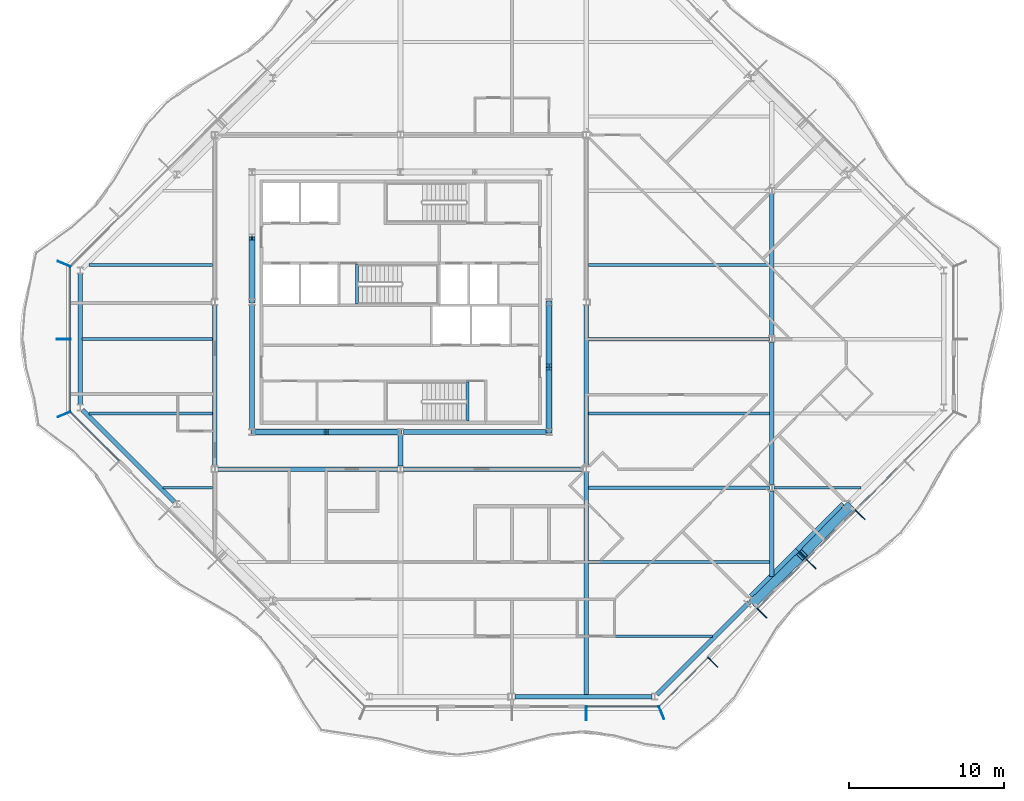
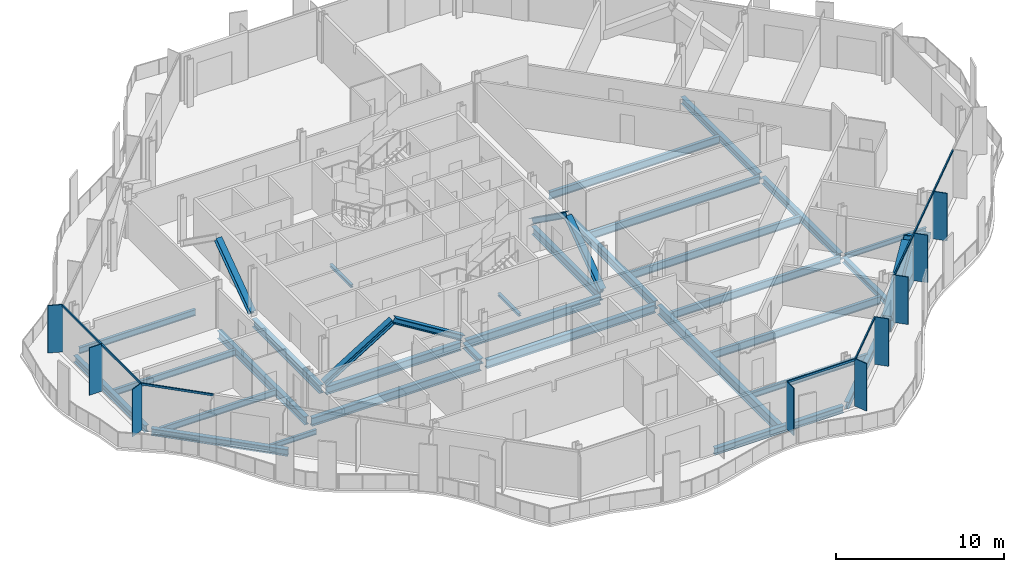
# One storey, part 3 of 17: 32 beams, 24 members, 4 elements without a shape of their own.
"""IFC4 building model written with IfcOpenShell, lengths in metres."""

from ifc_helpers import new_model, si_unit, direction, frame, origin, origin_2d, place, context, subcontext, project, spatial, rectangle, hollow_rectangle, i_section, extrude, material, material_profile, profile_set, type_object, element, aggregate, save


model = new_model("IFC4")

# Units and contexts
model_context = context("Model", 3, precision=1e-05, world=origin(), true_north=direction((0.0, 1.0)))
body_context = subcontext(model_context, "Body", "Model", "MODEL_VIEW")
ifc_project = project(units=[si_unit("LENGTHUNIT", "METRE"), si_unit("AREAUNIT", "SQUARE_METRE"), si_unit("VOLUMEUNIT", "CUBIC_METRE"), si_unit("PLANEANGLEUNIT", "RADIAN"), si_unit("MASSUNIT", "GRAM", prefix="KILO")], contexts=[model_context])

# Site, building, storey
site_placement = place(None, origin())
site = spatial("IfcSite", under=ifc_project, at=site_placement, CompositionType="ELEMENT")
building_placement = place(site_placement, origin())
building = spatial("IfcBuilding", under=site, at=building_placement, Name="Cairn Pilgrim Tower", CompositionType="ELEMENT")
storey_placement = place(building_placement, frame((0.0, 0.0, 217.800048828125)))
storey = spatial("IfcBuildingStorey", under=building, at=storey_placement, Name="L55", CompositionType="ELEMENT", Elevation=217.800048828125)

# Members
ifc_material_1 = material(Name="Structural steel S460M", Category="steel")
ifc_material_profile_1 = material_profile(ifc_material_1, hollow_rectangle(XDim=0.60009765625, YDim=0.60009765625, WallThickness=0.034912109375, at=origin_2d()), Name="BOX 600x600x35")
ifc_profile_set_1 = profile_set([ifc_material_profile_1], Name="Structural steel S460M")
member_type_1 = type_object("IfcMemberType", Name="BOX 600x600x35 BRACE", PredefinedType="BRACE", material=ifc_profile_set_1)
for number, where, z_axis, x_axis, name in (
    (1, (30.02392578125, -17.00146484375, 0.14990234375), (0.609993709431, 0.59476326853, 0.523607036681), (-0.698111810848, 0.715988756584, 0.0), "XB-SE2-SE3-1"),
    (2, (36.201416015625, -10.823974609375, 0.14990234375), (-0.59476326853, -0.609993709431, 0.523607036681), (0.715988756584, -0.698111810848, 0.0), "XB-SE2-SE3-2"),
):
    element("IfcMember", number, at=place(storey_placement, frame(where, z_axis=z_axis, x_axis=x_axis)), inside=storey, type_object=member_type_1, Name=name, PredefinedType="BRACE", context=body_context, shape_type="SweptSolid", body=[
        extrude(hollow_rectangle(XDim=0.60009765625, YDim=0.60009765625, WallThickness=0.034912109375, at=origin_2d()), origin(), (0.0, 0.0, 1.0), 5.033447265625),
    ])

# Beams
ifc_material_2 = material(Name="Structural steel S355J2", Category="steel")
ifc_material_profile_2 = material_profile(ifc_material_2, hollow_rectangle(XDim=0.699951171875, YDim=0.800048828125, WallThickness=0.0400390625, at=origin_2d()), Name="BOX 700x800x40")
ifc_profile_set_2 = profile_set([ifc_material_profile_2], Name="Structural steel S355J2")
beam_type_1 = type_object("IfcBeamType", Name="BOX 700x800x40 RING GIRDER", PredefinedType="SPANDREL", material=ifc_profile_set_2)
beam_1_placement = place(storey_placement, frame((29.98388671875, -16.743408203125, -0.550048828125), z_axis=(0.707106781187, 0.707106781187, 0.0), x_axis=(-0.707106781187, 0.707106781187, 0.0)))
element("IfcBeam", 3, at=beam_1_placement, inside=storey, type_object=beam_type_1, Name="RG3-SE2-SE3-1", PredefinedType="SPANDREL", context=body_context, shape_type="SweptSolid", body=[
    extrude(hollow_rectangle(XDim=0.699951171875, YDim=0.800048828125, WallThickness=0.0400390625, at=origin_2d()), origin(), (0.0, 0.0, 1.0), 4.2138671875),
])
beam_2_placement = place(storey_placement, frame((32.963623046875, -13.763671875, -0.550048828125), z_axis=(0.707077813866, 0.707135747321, 0.0), x_axis=(-0.707135747321, 0.707077813866, 0.0)))
element("IfcBeam", 4, at=beam_2_placement, inside=storey, type_object=beam_type_1, Name="RG3-SE2-SE3-2", PredefinedType="SPANDREL", context=body_context, shape_type="SweptSolid", body=[
    extrude(hollow_rectangle(XDim=0.699951171875, YDim=0.800048828125, WallThickness=0.0400390625, at=origin_2d()), origin(), (0.0, 0.0, 1.0), 4.214111328125),
])

# Curtain wall, member
ifc_material_3 = material(Name="Aluminium alloy 6063-T6 bronze anodised with Bronze tinted laminated low-E glass 8+16+8.8", Category="aluminium")
curtain_wall_type_1 = type_object("IfcCurtainWallType", Name="TOWER STICK CURTAIN WALL NS", PredefinedType="NOTDEFINED", material=ifc_material_3)
curtain_wall_1_placement = place(storey_placement, origin())
curtain_wall_1 = element("IfcCurtainWall", 5, at=curtain_wall_1_placement, inside=storey, type_object=curtain_wall_type_1, Name="Tower Stick Curtain Wall Ns S", PredefinedType="NOTDEFINED")
ifc_material_4 = material(Name="Aluminium alloy 6063-T6 bronze anodised", Category="aluminium")
ifc_material_profile_3 = material_profile(ifc_material_4, rectangle(XDim=0.89990234375, YDim=0.06005859375, at=origin_2d()), Name="FIN MULLION 60x900 BRONZE")
ifc_profile_set_3 = profile_set([ifc_material_profile_3], Name="Aluminium alloy 6063-T6 bronze anodised")
member_type_2 = type_object("IfcMemberType", Name="FIN MULLION 60x900 BRONZE", PredefinedType="MULLION", material=ifc_profile_set_3)
member_1_placement = place(storey_placement, frame((19.199951171875, -24.169921875, 0.0), z_axis=(0.0, 0.0, 1.0), x_axis=(0.0, -1.0, 0.0)))
member_1 = element("IfcMember", 6, at=member_1_placement, type_object=member_type_2, Name="Fin mullion S4", PredefinedType="MULLION", context=body_context, shape_type="SweptSolid", body=[
    extrude(rectangle(XDim=0.89990234375, YDim=0.06005859375, at=origin_2d()), origin(), (0.0, 0.0, 1.0), 3.449951171875),
])

# Curtain wall, members
curtain_wall_type_2 = type_object("IfcCurtainWallType", Name="CHAMFER CORNER CURTAIN WALL", PredefinedType="NOTDEFINED", material=ifc_material_3)
curtain_wall_2_placement = place(storey_placement, origin())
curtain_wall_2 = element("IfcCurtainWall", 7, at=curtain_wall_2_placement, inside=storey, type_object=curtain_wall_type_2, Name="Chamfer Corner Curtain Wall SE", PredefinedType="NOTDEFINED")
member_2_placement = place(storey_placement, frame((24.05712890625, -24.137939453125, 0.0), z_axis=(0.0, 0.0, 1.0), x_axis=(0.382683432365, -0.923879532511, 0.0)))
member_2 = element("IfcMember", 8, at=member_2_placement, type_object=member_type_2, Name="Fin mullion SE1", PredefinedType="MULLION", context=body_context, shape_type="SweptSolid", body=[
    extrude(rectangle(XDim=0.89990234375, YDim=0.06005859375, at=origin_2d()), origin(), (0.0, 0.0, 1.0), 3.449951171875),
])
member_3_placement = place(storey_placement, frame((27.369140625, -20.871337890625, 0.0), z_axis=(0.0, 0.0, 1.0), x_axis=(0.707106781187, -0.707106781187, 0.0)))
member_3 = element("IfcMember", 9, at=member_3_placement, type_object=member_type_2, Name="Fin mullion SE2", PredefinedType="MULLION", context=body_context, shape_type="SweptSolid", body=[
    extrude(rectangle(XDim=0.89990234375, YDim=0.06005859375, at=origin_2d()), origin(), (0.0, 0.0, 1.0), 3.449951171875),
])
member_4_placement = place(storey_placement, frame((30.544677734375, -17.69580078125, 0.0), z_axis=(0.0, 0.0, 1.0), x_axis=(0.707106781187, -0.707106781187, 0.0)))
member_4 = element("IfcMember", 10, at=member_4_placement, type_object=member_type_2, Name="Fin mullion SE3", PredefinedType="MULLION", context=body_context, shape_type="SweptSolid", body=[
    extrude(rectangle(XDim=0.89990234375, YDim=0.06005859375, at=origin_2d()), origin(), (0.0, 0.0, 1.0), 3.449951171875),
])
member_5_placement = place(storey_placement, frame((33.72021484375, -14.520263671875, 0.0), z_axis=(0.0, 0.0, 1.0), x_axis=(0.707106781187, -0.707106781187, 0.0)))
member_5 = element("IfcMember", 11, at=member_5_placement, type_object=member_type_2, Name="Fin mullion SE4", PredefinedType="MULLION", context=body_context, shape_type="SweptSolid", body=[
    extrude(rectangle(XDim=0.89990234375, YDim=0.06005859375, at=origin_2d()), origin(), (0.0, 0.0, 1.0), 3.449951171875),
])
member_6_placement = place(storey_placement, frame((36.895751953125, -11.3447265625, 0.0), z_axis=(0.0, 0.0, 1.0), x_axis=(0.707106781187, -0.707106781187, 0.0)))
member_6 = element("IfcMember", 12, at=member_6_placement, type_object=member_type_2, Name="Fin mullion SE5", PredefinedType="MULLION", context=body_context, shape_type="SweptSolid", body=[
    extrude(rectangle(XDim=0.89990234375, YDim=0.06005859375, at=origin_2d()), origin(), (0.0, 0.0, 1.0), 3.449951171875),
])

curtain_wall_type_3 = type_object("IfcCurtainWallType", Name="TOWER STICK CURTAIN WALL EW", PredefinedType="NOTDEFINED", material=ifc_material_3)
curtain_wall_3_placement = place(storey_placement, origin())
curtain_wall_3 = element("IfcCurtainWall", 13, at=curtain_wall_3_placement, inside=storey, type_object=curtain_wall_type_3, Name="Tower Stick Curtain Wall Ew W", PredefinedType="NOTDEFINED")
member_7_placement = place(storey_placement, frame((-14.5380859375, 4.857177734375, 0.0), z_axis=(0.0, 0.0, 1.0), x_axis=(-0.923879532511, 0.382683432365, 0.0)))
member_7 = element("IfcMember", 14, at=member_7_placement, type_object=member_type_2, Name="Fin mullion W1", PredefinedType="MULLION", context=body_context, shape_type="SweptSolid", body=[
    extrude(rectangle(XDim=0.89990234375, YDim=0.06005859375, at=origin_2d()), origin(), (0.0, 0.0, 1.0), 3.449951171875),
])
member_8_placement = place(storey_placement, frame((-14.570068359375, 0.0, 0.0), z_axis=(0.0, 0.0, 1.0), x_axis=(-1.0, 0.0, 0.0)))
member_8 = element("IfcMember", 15, at=member_8_placement, type_object=member_type_2, Name="Fin mullion W2", PredefinedType="MULLION", context=body_context, shape_type="SweptSolid", body=[
    extrude(rectangle(XDim=0.89990234375, YDim=0.06005859375, at=origin_2d()), origin(), (0.0, 0.0, 1.0), 3.449951171875),
])

# Curtain wall, member
curtain_wall_4_placement = place(storey_placement, origin())
curtain_wall_4 = element("IfcCurtainWall", 16, at=curtain_wall_4_placement, inside=storey, type_object=curtain_wall_type_2, Name="Chamfer Corner Curtain Wall SW", PredefinedType="NOTDEFINED")
member_9_placement = place(storey_placement, frame((-14.5380859375, -4.857177734375, 0.0), z_axis=(0.0, 0.0, 1.0), x_axis=(-0.923879532511, -0.382683432365, 0.0)))
member_9 = element("IfcMember", 17, at=member_9_placement, type_object=member_type_2, Name="Fin mullion SW1", PredefinedType="MULLION", context=body_context, shape_type="SweptSolid", body=[
    extrude(rectangle(XDim=0.89990234375, YDim=0.06005859375, at=origin_2d()), origin(), (0.0, 0.0, 1.0), 3.449951171875),
])

# Members
ifc_material_profile_4 = material_profile(ifc_material_2, i_section(OverallWidth=0.39794921875, OverallDepth=0.386962890625, WebThickness=0.02099609375, FlangeThickness=0.033203125, FilletRadius=0.014892578125, at=origin_2d()), Name="HD 400x262")
ifc_profile_set_4 = profile_set([ifc_material_profile_4], Name="Structural steel S355J2")
member_type_3 = type_object("IfcMemberType", Name="HD 400x262 BRACE", PredefinedType="BRACE", material=ifc_profile_set_4)
member_10_placement = place(storey_placement, frame((-2.359619140625, -6.0, 0.099853515625), z_axis=(0.851160677397, 0.0, 0.524905230736), x_axis=(0.0, 1.0, 0.0)))
element("IfcMember", 18, at=member_10_placement, inside=storey, type_object=member_type_3, Name="KB-1A", PredefinedType="BRACE", context=body_context, shape_type="SweptSolid", body=[
    extrude(i_section(OverallWidth=0.39794921875, OverallDepth=0.386962890625, WebThickness=0.02099609375, FlangeThickness=0.033203125, FilletRadius=0.014892578125, at=origin_2d()), origin(), (0.0, 0.0, 1.0), 5.529296875),
])
member_11_placement = place(storey_placement, frame((7.15966796875, -6.0, 0.099853515625), z_axis=(-0.851172842321, 0.0, 0.524885504177), x_axis=(0.0, -1.0, 0.0)))
element("IfcMember", 19, at=member_11_placement, inside=storey, type_object=member_type_3, Name="KB-1B", PredefinedType="BRACE", context=body_context, shape_type="SweptSolid", body=[
    extrude(i_section(OverallWidth=0.39794921875, OverallDepth=0.386962890625, WebThickness=0.02099609375, FlangeThickness=0.033203125, FilletRadius=0.014892578125, at=origin_2d()), origin(), (0.0, 0.0, 1.0), 5.529541015625),
])
member_12_placement = place(storey_placement, frame((16.800048828125, -5.959716796875, 0.099853515625), z_axis=(0.0, 0.814429122825, 0.580263047155), x_axis=(-1.0, 0.0, 0.0)))
element("IfcMember", 20, at=member_12_placement, inside=storey, type_object=member_type_3, Name="KB-2A", PredefinedType="BRACE", context=body_context, shape_type="SweptSolid", body=[
    extrude(i_section(OverallWidth=0.39794921875, OverallDepth=0.386962890625, WebThickness=0.02099609375, FlangeThickness=0.033203125, FilletRadius=0.014892578125, at=origin_2d()), origin(), (0.0, 0.0, 1.0), 4.999267578125),
])
for number, where, z_axis, x_axis, name in (
    (21, (16.800048828125, 2.359619140625, 0.099853515625), (0.0, -0.814412678688, 0.580286126659), (1.0, 0.0, 0.0), "KB-2B"),
    (22, (-2.39990234375, 2.4404296875, 0.099853515625), (0.0, 0.814412678688, 0.580286126659), (-1.0, 0.0, 0.0), "KB-4B"),
):
    element("IfcMember", number, at=place(storey_placement, frame(where, z_axis=z_axis, x_axis=x_axis)), inside=storey, type_object=member_type_3, Name=name, PredefinedType="BRACE", context=body_context, shape_type="SweptSolid", body=[
        extrude(i_section(OverallWidth=0.39794921875, OverallDepth=0.386962890625, WebThickness=0.02099609375, FlangeThickness=0.033203125, FilletRadius=0.014892578125, at=origin_2d()), origin(), (0.0, 0.0, 1.0), 4.9990234375),
    ])

# Beams
ifc_material_profile_5 = material_profile(ifc_material_2, i_section(OverallWidth=0.300048828125, OverallDepth=0.39990234375, WebThickness=0.013427734375, FlangeThickness=0.02392578125, FilletRadius=0.027099609375, at=origin_2d()), Name="HEB 400")
ifc_profile_set_5 = profile_set([ifc_material_profile_5], Name="Structural steel S355J2")
beam_type_2 = type_object("IfcBeamType", Name="HEB 400 GIRDER", PredefinedType="BEAM", material=ifc_profile_set_5)
beam_3_placement = place(storey_placement, frame((7.199951171875, -8.200439453125, -0.35009765625), z_axis=(0.0, 1.0, 0.0), x_axis=(-1.0, 0.0, 0.0)))
element("IfcBeam", 23, at=beam_3_placement, inside=storey, type_object=beam_type_2, Name="PG3-E1", PredefinedType="BEAM", context=body_context, shape_type="SweptSolid", body=[
    extrude(i_section(OverallWidth=0.300048828125, OverallDepth=0.39990234375, WebThickness=0.013427734375, FlangeThickness=0.02392578125, FilletRadius=0.027099609375, at=origin_2d()), origin(), (0.0, 0.0, 1.0), 1.99853515625),
])
beam_4_placement = place(storey_placement, frame((31.199951171875, -15.34521484375, -0.35009765625), z_axis=(0.0, 1.0, 0.0), x_axis=(-1.0, 0.0, 0.0)))
element("IfcBeam", 24, at=beam_4_placement, inside=storey, type_object=beam_type_2, Name="PG5-1", PredefinedType="BEAM", context=body_context, shape_type="SweptSolid", body=[
    extrude(i_section(OverallWidth=0.300048828125, OverallDepth=0.39990234375, WebThickness=0.013427734375, FlangeThickness=0.02392578125, FilletRadius=0.027099609375, at=origin_2d()), origin(), (0.0, 0.0, 1.0), 5.545654296875),
])
ifc_material_profile_6 = material_profile(ifc_material_2, i_section(OverallWidth=0.300048828125, OverallDepth=0.5, WebThickness=0.014404296875, FlangeThickness=0.028076171875, FilletRadius=0.027099609375, at=origin_2d()), Name="HEB 500")
ifc_profile_set_6 = profile_set([ifc_material_profile_6], Name="Structural steel S355J2")
beam_type_3 = type_object("IfcBeamType", Name="HEB 500 GIRDER", PredefinedType="BEAM", material=ifc_profile_set_6)
for number, where, z_axis, x_axis, name in (
    (25, (31.199951171875, -9.400390625, -0.400146484375), (0.0, 1.0, 0.0), (-1.0, 0.0, 0.0), "PG5-2"),
    (26, (31.199951171875, 0.199462890625, -0.400146484375), (0.0, 1.0, 0.0), (-1.0, 0.0, 0.0), "PG5-3"),
):
    element("IfcBeam", number, at=place(storey_placement, frame(where, z_axis=z_axis, x_axis=x_axis)), inside=storey, type_object=beam_type_3, Name=name, PredefinedType="BEAM", context=body_context, shape_type="SweptSolid", body=[
        extrude(i_section(OverallWidth=0.300048828125, OverallDepth=0.5, WebThickness=0.014404296875, FlangeThickness=0.028076171875, FilletRadius=0.027099609375, at=origin_2d()), origin(), (0.0, 0.0, 1.0), 9.200927734375),
    ])
ifc_material_profile_7 = material_profile(ifc_material_2, i_section(OverallWidth=0.300048828125, OverallDepth=0.5, WebThickness=0.014404296875, FlangeThickness=0.028076171875, FilletRadius=0.027099609375, at=origin_2d()), Name="HEB 500")
ifc_profile_set_7 = profile_set([ifc_material_profile_7], Name="Structural steel S355J2")
beam_type_4 = type_object("IfcBeamType", Name="HEB 500 RING GIRDER", PredefinedType="SPANDREL", material=ifc_profile_set_7)
beam_5_placement = place(storey_placement, frame((14.587158203125, -23.10009765625, -0.400146484375), z_axis=(1.0, 0.0, 0.0), x_axis=(0.0, 1.0, 0.0)))
element("IfcBeam", 27, at=beam_5_placement, inside=storey, type_object=beam_type_4, Name="RG3-S2-SE1", PredefinedType="SPANDREL", context=body_context, shape_type="SweptSolid", body=[
    extrude(i_section(OverallWidth=0.300048828125, OverallDepth=0.5, WebThickness=0.014404296875, FlangeThickness=0.028076171875, FilletRadius=0.027099609375, at=origin_2d()), origin(), (0.0, 0.0, 1.0), 8.852783203125),
])
beam_6_placement = place(storey_placement, frame((23.759521484375, -22.967529296875, -0.400146484375), z_axis=(0.707106781187, 0.707106781187, 0.0), x_axis=(-0.707106781187, 0.707106781187, 0.0)))
element("IfcBeam", 28, at=beam_6_placement, inside=storey, type_object=beam_type_4, Name="RG3-SE1-SE2", PredefinedType="SPANDREL", context=body_context, shape_type="SweptSolid", body=[
    extrude(i_section(OverallWidth=0.300048828125, OverallDepth=0.5, WebThickness=0.014404296875, FlangeThickness=0.028076171875, FilletRadius=0.027099609375, at=origin_2d()), origin(), (0.0, 0.0, 1.0), 8.427978515625),
])
beam_7_placement = place(storey_placement, frame((-13.5, 4.239990234375, -0.400146484375), z_axis=(0.0, -1.0, 0.0), x_axis=(1.0, 0.0, 0.0)))
element("IfcBeam", 29, at=beam_7_placement, inside=storey, type_object=beam_type_4, Name="RG3-W1-SW1", PredefinedType="SPANDREL", context=body_context, shape_type="SweptSolid", body=[
    extrude(i_section(OverallWidth=0.300048828125, OverallDepth=0.5, WebThickness=0.014404296875, FlangeThickness=0.028076171875, FilletRadius=0.027099609375, at=origin_2d()), origin(), (0.0, 0.0, 1.0), 8.47998046875),
])
beam_8_placement = place(storey_placement, frame((-13.36767578125, -4.5595703125, -0.400146484375), z_axis=(0.707106781187, -0.707106781187, 0.0), x_axis=(0.707106781187, 0.707106781187, 0.0)))
element("IfcBeam", 30, at=beam_8_placement, inside=storey, type_object=beam_type_4, Name="RG3-SW1-SW2", PredefinedType="SPANDREL", context=body_context, shape_type="SweptSolid", body=[
    extrude(i_section(OverallWidth=0.300048828125, OverallDepth=0.5, WebThickness=0.014404296875, FlangeThickness=0.028076171875, FilletRadius=0.027099609375, at=origin_2d()), origin(), (0.0, 0.0, 1.0), 8.427978515625),
])
ifc_material_profile_8 = material_profile(ifc_material_2, i_section(OverallWidth=0.300048828125, OverallDepth=0.60009765625, WebThickness=0.015380859375, FlangeThickness=0.030029296875, FilletRadius=0.027099609375, at=origin_2d()), Name="HEB 600")
ifc_profile_set_8 = profile_set([ifc_material_profile_8], Name="Structural steel S355J2")
beam_type_5 = type_object("IfcBeamType", Name="HEB 600 CORE BEAM", PredefinedType="BEAM", material=ifc_profile_set_8)
beam_9_placement = place(storey_placement, frame((-2.21826171875, -6.0, -0.449951171875), z_axis=(1.0, 0.0, 0.0), x_axis=(0.0, 1.0, 0.0)))
element("IfcBeam", 31, at=beam_9_placement, inside=storey, type_object=beam_type_5, Name="CB-1", PredefinedType="BEAM", context=body_context, shape_type="SweptSolid", body=[
    extrude(i_section(OverallWidth=0.300048828125, OverallDepth=0.60009765625, WebThickness=0.015380859375, FlangeThickness=0.030029296875, FilletRadius=0.027099609375, at=origin_2d()), origin(), (0.0, 0.0, 1.0), 9.236572265625),
])
beam_10_placement = place(storey_placement, frame((7.3818359375, -6.0, -0.449951171875), z_axis=(1.0, 0.0, 0.0), x_axis=(0.0, 1.0, 0.0)))
element("IfcBeam", 32, at=beam_10_placement, inside=storey, type_object=beam_type_5, Name="CB-2", PredefinedType="BEAM", context=body_context, shape_type="SweptSolid", body=[
    extrude(i_section(OverallWidth=0.300048828125, OverallDepth=0.60009765625, WebThickness=0.015380859375, FlangeThickness=0.030029296875, FilletRadius=0.027099609375, at=origin_2d()), origin(), (0.0, 0.0, 1.0), 9.236328125),
])
for number, where, z_axis, x_axis, name in (
    (33, (16.800048828125, -5.818115234375, -0.449951171875), (0.0, 1.0, 0.0), (-1.0, 0.0, 0.0), "CB-3"),
    (34, (-2.39990234375, 2.21826171875, -0.449951171875), (0.0, -1.0, 0.0), (1.0, 0.0, 0.0), "CB-8"),
):
    element("IfcBeam", number, at=place(storey_placement, frame(where, z_axis=z_axis, x_axis=x_axis)), inside=storey, type_object=beam_type_5, Name=name, PredefinedType="BEAM", context=body_context, shape_type="SweptSolid", body=[
        extrude(i_section(OverallWidth=0.300048828125, OverallDepth=0.60009765625, WebThickness=0.015380859375, FlangeThickness=0.030029296875, FilletRadius=0.027099609375, at=origin_2d()), origin(), (0.0, 0.0, 1.0), 8.036376953125),
    ])
ifc_material_profile_9 = material_profile(ifc_material_2, i_section(OverallWidth=0.300048828125, OverallDepth=0.60009765625, WebThickness=0.015380859375, FlangeThickness=0.030029296875, FilletRadius=0.027099609375, at=origin_2d()), Name="HEB 600")
ifc_profile_set_9 = profile_set([ifc_material_profile_9], Name="Structural steel S355J2")
beam_type_6 = type_object("IfcBeamType", Name="HEB 600 GIRDER", PredefinedType="BEAM", material=ifc_profile_set_9)
for number, where, z_axis, x_axis, name in (
    (35, (-4.800048828125, -8.200439453125, -0.449951171875), (0.0, 1.0, 0.0), (-1.0, 0.0, 0.0), "PG2-2"),
    (36, (19.199951171875, -8.200439453125, -0.449951171875), (0.0, 1.0, 0.0), (-1.0, 0.0, 0.0), "PG4-2"),
):
    element("IfcBeam", number, at=place(storey_placement, frame(where, z_axis=z_axis, x_axis=x_axis)), inside=storey, type_object=beam_type_6, Name=name, PredefinedType="BEAM", context=body_context, shape_type="SweptSolid", body=[
        extrude(i_section(OverallWidth=0.300048828125, OverallDepth=0.60009765625, WebThickness=0.015380859375, FlangeThickness=0.030029296875, FilletRadius=0.027099609375, at=origin_2d()), origin(), (0.0, 0.0, 1.0), 10.40087890625),
    ])
ifc_material_profile_10 = material_profile(ifc_material_2, i_section(OverallWidth=0.300048828125, OverallDepth=0.60009765625, WebThickness=0.015380859375, FlangeThickness=0.030029296875, FilletRadius=0.027099609375, at=origin_2d()), Name="HEB 600")
ifc_profile_set_10 = profile_set([ifc_material_profile_10], Name="Structural steel S355J2")
beam_type_7 = type_object("IfcBeamType", Name="HEB 600 INNER GIRDER", PredefinedType="BEAM", material=ifc_profile_set_10)
for number, where, z_axis, x_axis, name in (
    (37, (-4.6005859375, -8.39990234375, -0.449951171875), (1.0, 0.0, 0.0), (0.0, 1.0, 0.0), "IG1-1"),
    (38, (7.3994140625, -8.39990234375, -0.449951171875), (1.0, 0.0, 0.0), (0.0, 1.0, 0.0), "IG1-2"),
):
    element("IfcBeam", number, at=place(storey_placement, frame(where, z_axis=z_axis, x_axis=x_axis)), inside=storey, type_object=beam_type_7, Name=name, PredefinedType="BEAM", context=body_context, shape_type="SweptSolid", body=[
        extrude(i_section(OverallWidth=0.300048828125, OverallDepth=0.60009765625, WebThickness=0.015380859375, FlangeThickness=0.030029296875, FilletRadius=0.027099609375, at=origin_2d()), origin(), (0.0, 0.0, 1.0), 11.60107421875),
    ])
ifc_material_profile_11 = material_profile(ifc_material_2, i_section(OverallWidth=0.300048828125, OverallDepth=0.699951171875, WebThickness=0.01708984375, FlangeThickness=0.031982421875, FilletRadius=0.027099609375, at=origin_2d()), Name="HEB 700")
ifc_profile_set_11 = profile_set([ifc_material_profile_11], Name="Structural steel S355J2")
beam_type_8 = type_object("IfcBeamType", Name="HEB 700 GIRDER", PredefinedType="BEAM", material=ifc_profile_set_11)
beam_11_placement = place(storey_placement, frame((19.199951171875, -22.97998046875, -0.5), z_axis=(0.0, 1.0, 0.0), x_axis=(-1.0, 0.0, 0.0)))
element("IfcBeam", 39, at=beam_11_placement, inside=storey, type_object=beam_type_8, Name="PG4-1", PredefinedType="BEAM", context=body_context, shape_type="SweptSolid", body=[
    extrude(i_section(OverallWidth=0.300048828125, OverallDepth=0.699951171875, WebThickness=0.01708984375, FlangeThickness=0.031982421875, FilletRadius=0.027099609375, at=origin_2d()), origin(), (0.0, 0.0, 1.0), 14.38037109375),
])
ifc_material_profile_12 = material_profile(ifc_material_2, i_section(OverallWidth=0.169921875, OverallDepth=0.360107421875, WebThickness=0.008056640625, FlangeThickness=0.0126953125, FilletRadius=0.01806640625, at=origin_2d()), Name="IPE 360")
ifc_profile_set_12 = profile_set([ifc_material_profile_12], Name="Structural steel S355J2")
beam_type_9 = type_object("IfcBeamType", Name="IPE 360 SECONDARY BEAM", PredefinedType="JOIST", material=ifc_profile_set_12)
beam_12_placement = place(storey_placement, frame((-8.14501953125, -9.60009765625, -0.330078125), z_axis=(1.0, 0.0, 0.0), x_axis=(0.0, 1.0, 0.0)))
element("IfcBeam", 40, at=beam_12_placement, inside=storey, type_object=beam_type_9, Name="SB3-1", PredefinedType="JOIST", context=body_context, shape_type="SweptSolid", body=[
    extrude(i_section(OverallWidth=0.169921875, OverallDepth=0.360107421875, WebThickness=0.008056640625, FlangeThickness=0.0126953125, FilletRadius=0.01806640625, at=origin_2d()), origin(), (0.0, 0.0, 1.0), 3.195068359375),
])
beam_13_placement = place(storey_placement, frame((31.35009765625, -9.60009765625, -0.330078125), z_axis=(1.0, 0.0, 0.0), x_axis=(0.0, 1.0, 0.0)))
element("IfcBeam", 41, at=beam_13_placement, inside=storey, type_object=beam_type_9, Name="SB3-3", PredefinedType="JOIST", context=body_context, shape_type="SweptSolid", body=[
    extrude(i_section(OverallWidth=0.169921875, OverallDepth=0.360107421875, WebThickness=0.008056640625, FlangeThickness=0.0126953125, FilletRadius=0.01806640625, at=origin_2d()), origin(), (0.0, 0.0, 1.0), 5.594970703125),
])
ifc_material_profile_13 = material_profile(ifc_material_2, i_section(OverallWidth=0.18994140625, OverallDepth=0.449951171875, WebThickness=0.009521484375, FlangeThickness=0.0146484375, FilletRadius=0.02099609375, at=origin_2d()), Name="IPE 450")
ifc_profile_set_13 = profile_set([ifc_material_profile_13], Name="Structural steel S355J2")
beam_type_10 = type_object("IfcBeamType", Name="IPE 450 SECONDARY BEAM", PredefinedType="JOIST", material=ifc_profile_set_13)
for number, where, z_axis, x_axis, name in (
    (42, (19.35009765625, -19.199951171875, -0.375), (1.0, 0.0, 0.0), (0.0, 1.0, 0.0), "SB1-3"),
    (43, (-12.945068359375, -4.800048828125, -0.375), (1.0, 0.0, 0.0), (0.0, 1.0, 0.0), "SB4-1"),
):
    element("IfcBeam", number, at=place(storey_placement, frame(where, z_axis=z_axis, x_axis=x_axis)), inside=storey, type_object=beam_type_10, Name=name, PredefinedType="JOIST", context=body_context, shape_type="SweptSolid", body=[
        extrude(i_section(OverallWidth=0.18994140625, OverallDepth=0.449951171875, WebThickness=0.009521484375, FlangeThickness=0.0146484375, FilletRadius=0.02099609375, at=origin_2d()), origin(), (0.0, 0.0, 1.0), 7.9951171875),
    ])
beam_14_placement = place(storey_placement, frame((-13.3798828125, 0.0, -0.375), z_axis=(1.0, 0.0, 0.0), x_axis=(0.0, 1.0, 0.0)))
element("IfcBeam", 44, at=beam_14_placement, inside=storey, type_object=beam_type_10, Name="SB5-1", PredefinedType="JOIST", context=body_context, shape_type="SweptSolid", body=[
    extrude(i_section(OverallWidth=0.18994140625, OverallDepth=0.449951171875, WebThickness=0.009521484375, FlangeThickness=0.0146484375, FilletRadius=0.02099609375, at=origin_2d()), origin(), (0.0, 0.0, 1.0), 8.429931640625),
])
beam_15_placement = place(storey_placement, frame((-12.945068359375, 4.800048828125, -0.375), z_axis=(1.0, 0.0, 0.0), x_axis=(0.0, 1.0, 0.0)))
element("IfcBeam", 45, at=beam_15_placement, inside=storey, type_object=beam_type_10, Name="SB6-1", PredefinedType="JOIST", context=body_context, shape_type="SweptSolid", body=[
    extrude(i_section(OverallWidth=0.18994140625, OverallDepth=0.449951171875, WebThickness=0.009521484375, FlangeThickness=0.0146484375, FilletRadius=0.02099609375, at=origin_2d()), origin(), (0.0, 0.0, 1.0), 7.9951171875),
])
ifc_material_profile_14 = material_profile(ifc_material_2, i_section(OverallWidth=0.2099609375, OverallDepth=0.550048828125, WebThickness=0.010986328125, FlangeThickness=0.01708984375, FilletRadius=0.02392578125, at=origin_2d()), Name="IPE 550")
ifc_profile_set_14 = profile_set([ifc_material_profile_14], Name="Structural steel S355J2")
beam_type_11 = type_object("IfcBeamType", Name="IPE 550 SECONDARY BEAM", PredefinedType="JOIST", material=ifc_profile_set_14)
for number, where, z_axis, x_axis, name in (
    (46, (19.35009765625, -14.39990234375, -0.425048828125), (1.0, 0.0, 0.0), (0.0, 1.0, 0.0), "SB2-3"),
    (47, (19.35009765625, -9.60009765625, -0.425048828125), (1.0, 0.0, 0.0), (0.0, 1.0, 0.0), "SB3-2"),
    (48, (19.35009765625, -4.800048828125, -0.425048828125), (1.0, 0.0, 0.0), (0.0, 1.0, 0.0), "SB4-2"),
    (49, (19.35009765625, 0.0, -0.425048828125), (1.0, 0.0, 0.0), (0.0, 1.0, 0.0), "SB5-2"),
    (50, (19.35009765625, 4.800048828125, -0.425048828125), (1.0, 0.0, 0.0), (0.0, 1.0, 0.0), "SB6-2"),
):
    element("IfcBeam", number, at=place(storey_placement, frame(where, z_axis=z_axis, x_axis=x_axis)), inside=storey, type_object=beam_type_11, Name=name, PredefinedType="JOIST", context=body_context, shape_type="SweptSolid", body=[
        extrude(i_section(OverallWidth=0.2099609375, OverallDepth=0.550048828125, WebThickness=0.010986328125, FlangeThickness=0.01708984375, FilletRadius=0.02392578125, at=origin_2d()), origin(), (0.0, 0.0, 1.0), 11.699951171875),
    ])
ifc_material_profile_15 = material_profile(ifc_material_2, i_section(OverallWidth=0.199951171875, OverallDepth=0.199951171875, WebThickness=0.009033203125, FlangeThickness=0.014892578125, FilletRadius=0.01806640625, at=origin_2d()), Name="HE 200 B")
ifc_profile_set_15 = profile_set([ifc_material_profile_15], Name="Structural steel S355J2")
beam_type_12 = type_object("IfcBeamType", Name="STAIR LANDING BEAM HE 200 B", PredefinedType="BEAM", material=ifc_profile_set_15)
beam_16_placement = place(storey_placement, frame((11.5244140625, -2.77490234375, -0.25), z_axis=(0.0, -1.0, 0.0), x_axis=(1.0, 0.0, 0.0)))
element("IfcBeam", 51, at=beam_16_placement, inside=storey, type_object=beam_type_12, Name="STAIR LANDING BEAM LD-HE200B", PredefinedType="BEAM", context=body_context, shape_type="SweptSolid", body=[
    extrude(i_section(OverallWidth=0.199951171875, OverallDepth=0.199951171875, WebThickness=0.009033203125, FlangeThickness=0.014892578125, FilletRadius=0.01806640625, at=origin_2d()), origin(), (0.0, 0.0, 1.0), 2.525146484375),
])
beam_17_placement = place(storey_placement, frame((4.37548828125, 2.27490234375, -0.25), z_axis=(0.0, 1.0, 0.0), x_axis=(-1.0, 0.0, 0.0)))
element("IfcBeam", 52, at=beam_17_placement, inside=storey, type_object=beam_type_12, Name="STAIR LANDING BEAM LD-HE200B", PredefinedType="BEAM", context=body_context, shape_type="SweptSolid", body=[
    extrude(i_section(OverallWidth=0.199951171875, OverallDepth=0.199951171875, WebThickness=0.009033203125, FlangeThickness=0.014892578125, FilletRadius=0.01806640625, at=origin_2d()), origin(), (0.0, 0.0, 1.0), 2.550048828125),
])

# Member
ifc_material_profile_16 = material_profile(ifc_material_4, rectangle(XDim=0.080078125, YDim=0.14990234375, at=origin_2d()), Name="TRANSOM 80x150 BRONZE")
ifc_profile_set_16 = profile_set([ifc_material_profile_16], Name="Aluminium alloy 6063-T6 bronze anodised")
member_type_4 = type_object("IfcMemberType", Name="TRANSOM 80x150 BRONZE", PredefinedType="USERDEFINED", material=ifc_profile_set_16)
member_13_placement = place(storey_placement, frame((19.22998046875, -23.75, 3.375), z_axis=(1.0, 0.0, 0.0), x_axis=(0.0, 1.0, 0.0)))
member_13 = element("IfcMember", 53, at=member_13_placement, type_object=member_type_4, Name="Transom S4", ObjectType="TRANSOM", PredefinedType="USERDEFINED", context=body_context, shape_type="SweptSolid", body=[
    extrude(rectangle(XDim=0.080078125, YDim=0.14990234375, at=origin_2d()), origin(), (0.0, 0.0, 1.0), 4.62646484375),
])

aggregate(curtain_wall_1, [member_1, member_13])

member_14_placement = place(storey_placement, frame((23.9248046875, -23.7216796875, 3.375), z_axis=(0.707106781187, 0.707106781187, 0.0), x_axis=(-0.707106781187, 0.707106781187, 0.0)))
member_14 = element("IfcMember", 54, at=member_14_placement, type_object=member_type_4, Name="Transom SE1", ObjectType="TRANSOM", PredefinedType="USERDEFINED", context=body_context, shape_type="SweptSolid", body=[
    extrude(rectangle(XDim=0.080078125, YDim=0.14990234375, at=origin_2d()), origin(), (0.0, 0.0, 1.0), 4.4208984375),
])

member_15_placement = place(storey_placement, frame((30.268798828125, -17.377685546875, 3.375), z_axis=(0.707106781187, 0.707106781187, 0.0), x_axis=(-0.707106781187, 0.707106781187, 0.0)))
member_15 = element("IfcMember", 55, at=member_15_placement, type_object=member_type_4, Name="Transom SE3", ObjectType="TRANSOM", PredefinedType="USERDEFINED", context=body_context, shape_type="SweptSolid", body=[
    extrude(rectangle(XDim=0.080078125, YDim=0.14990234375, at=origin_2d()), origin(), (0.0, 0.0, 1.0), 4.43115234375),
])

member_16_placement = place(storey_placement, frame((33.4443359375, -14.201904296875, 3.375), z_axis=(0.707134329907, 0.707079231393, 0.0), x_axis=(-0.707079231393, 0.707134329907, 0.0)))
member_16 = element("IfcMember", 56, at=member_16_placement, type_object=member_type_4, Name="Transom SE4", ObjectType="TRANSOM", PredefinedType="USERDEFINED", context=body_context, shape_type="SweptSolid", body=[
    extrude(rectangle(XDim=0.080078125, YDim=0.14990234375, at=origin_2d()), origin(), (0.0, 0.0, 1.0), 4.430908203125),
])

member_17_placement = place(storey_placement, frame((36.6201171875, -11.0263671875, 3.375), z_axis=(0.707106781187, 0.707106781187, 0.0), x_axis=(-0.707106781187, 0.707106781187, 0.0)))
member_17 = element("IfcMember", 57, at=member_17_placement, type_object=member_type_4, Name="Transom SE5", ObjectType="TRANSOM", PredefinedType="USERDEFINED", context=body_context, shape_type="SweptSolid", body=[
    extrude(rectangle(XDim=0.080078125, YDim=0.14990234375, at=origin_2d()), origin(), (0.0, 0.0, 1.0), 4.430908203125),
])

aggregate(curtain_wall_2, [member_2, member_3, member_4, member_5, member_6, member_14, member_15, member_16, member_17])

member_18_placement = place(storey_placement, frame((-14.14990234375, 4.656494140625, 3.375), z_axis=(0.0, -1.0, 0.0), x_axis=(1.0, 0.0, 0.0)))
member_18 = element("IfcMember", 58, at=member_18_placement, type_object=member_type_4, Name="Transom W1", ObjectType="TRANSOM", PredefinedType="USERDEFINED", context=body_context, shape_type="SweptSolid", body=[
    extrude(rectangle(XDim=0.080078125, YDim=0.14990234375, at=origin_2d()), origin(), (0.0, 0.0, 1.0), 4.62646484375),
])

member_19_placement = place(storey_placement, frame((-14.14990234375, -0.030029296875, 3.375), z_axis=(0.0, -1.0, 0.0), x_axis=(1.0, 0.0, 0.0)))
member_19 = element("IfcMember", 59, at=member_19_placement, type_object=member_type_4, Name="Transom W2", ObjectType="TRANSOM", PredefinedType="USERDEFINED", context=body_context, shape_type="SweptSolid", body=[
    extrude(rectangle(XDim=0.080078125, YDim=0.14990234375, at=origin_2d()), origin(), (0.0, 0.0, 1.0), 4.62646484375),
])

aggregate(curtain_wall_3, [member_7, member_8, member_18, member_19])

member_20_placement = place(storey_placement, frame((-14.121826171875, -4.724609375, 3.375), z_axis=(0.707106781187, -0.707106781187, 0.0), x_axis=(0.707106781187, 0.707106781187, 0.0)))
member_20 = element("IfcMember", 60, at=member_20_placement, type_object=member_type_4, Name="Transom SW1", ObjectType="TRANSOM", PredefinedType="USERDEFINED", context=body_context, shape_type="SweptSolid", body=[
    extrude(rectangle(XDim=0.080078125, YDim=0.14990234375, at=origin_2d()), origin(), (0.0, 0.0, 1.0), 4.421142578125),
])

aggregate(curtain_wall_4, [member_9, member_20])

save(model, "model.ifc")
